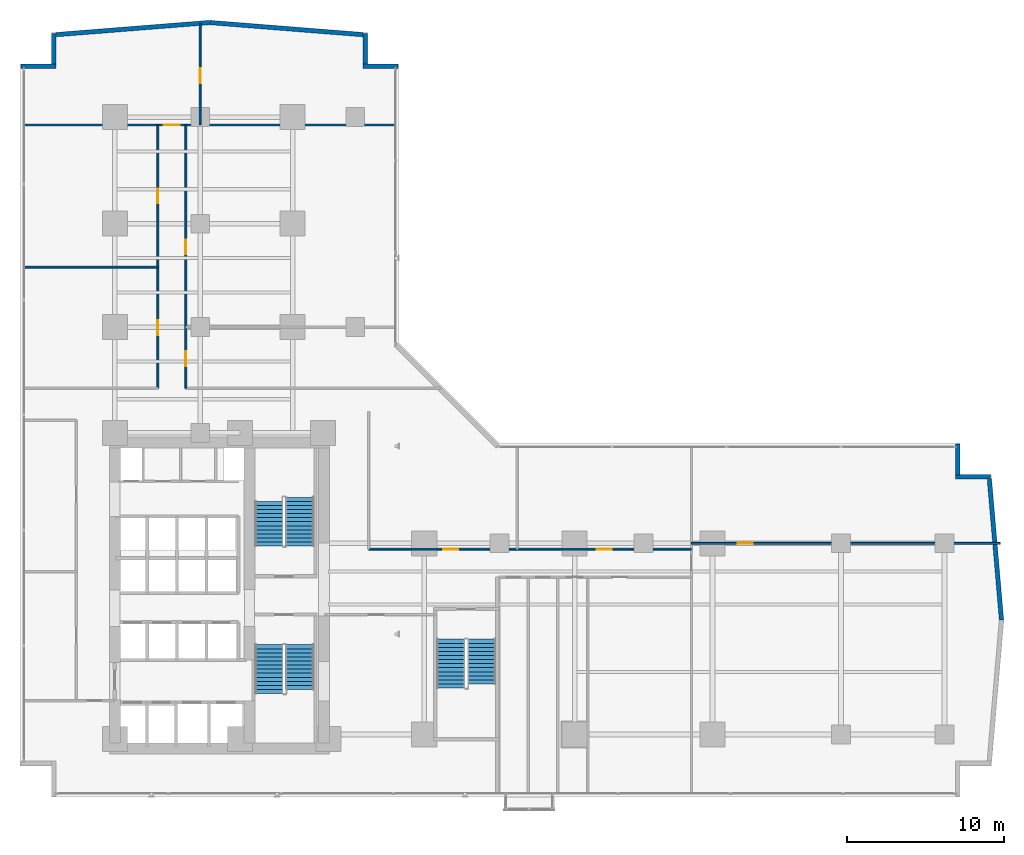
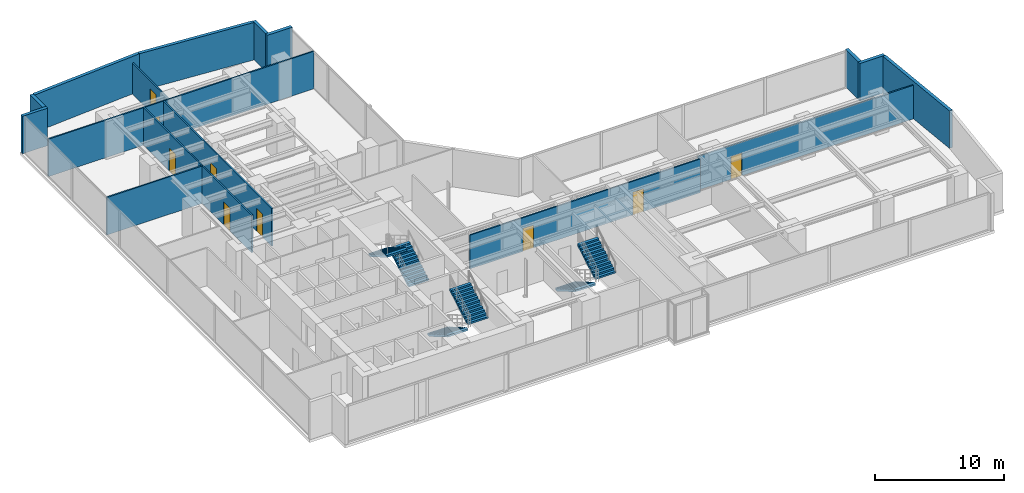
# One storey, part 25 of 29: 16 walls, 9 doors, 6 stair flights, 9 openings, 3 elements without a shape of their own.
"""IFC4 building model written with IfcOpenShell, lengths in metres."""

import ifcopenshell
import ifcopenshell.guid

model = None  # the IFC model being written
_history = None  # IfcOwnerHistory: only IFC2X3 demands one
_inside = {}  # id of a spatial element -> (the spatial element, [elements in it])
_under = {}  # id of a project, library or spatial element -> (it, [spatial elements below it])
_declared = {}  # id of a project -> (the project, [libraries it declares])
_typed = {}  # id of a type object -> (the type object, [elements of that type])
_made_of = {}  # id of a material, layer set ... -> (it, [elements and type objects made of it])


def new_model(schema):
    """Start an empty IFC model of exactly this schema.

    Asked for "IFC4X3", IfcOpenShell would pick the latest addendum, in which some entities
    have other attributes; the version numbers below select the first issue.
    IFC2X3 requires an IfcOwnerHistory on every rooted entity: one is made here for all.
    """
    global model, _history
    if schema == "IFC4X3":
        model = ifcopenshell.file(schema_version=(4, 3, 0, 0))
    else:
        model = ifcopenshell.file(schema=schema)
    _inside.clear()
    _under.clear()
    _declared.clear()
    _typed.clear()
    _made_of.clear()
    _history = None
    if model.schema == "IFC2X3":
        org = make("IfcOrganization", Name="unknown")
        user = make(
            "IfcPersonAndOrganization",
            ThePerson=make("IfcPerson", FamilyName="unknown"),
            TheOrganization=org,
        )
        app = make(
            "IfcApplication",
            ApplicationDeveloper=org,
            Version="unknown",
            ApplicationFullName="unknown",
            ApplicationIdentifier="unknown",
        )
        _history = make(
            "IfcOwnerHistory",
            OwningUser=user,
            OwningApplication=app,
            ChangeAction="ADDED",
            CreationDate=0,
        )
    return model


def make(cls, **values):
    """One entity of the class cls with the attributes given. An attribute that is None is left unset."""
    return model.create_entity(
        cls, **{name: value for name, value in values.items() if value is not None}
    )


def rooted(cls, **values):
    """An entity with a GlobalId (a new one), such as an element, a storey or a relation."""
    return make(cls, GlobalId=ifcopenshell.guid.new(), OwnerHistory=_history, **values)


def si_unit(unit_type, name, prefix=None):
    """IfcSIUnit, for example si_unit("LENGTHUNIT", "METRE", prefix="MILLI")."""
    return make("IfcSIUnit", UnitType=unit_type, Prefix=prefix, Name=name)


def assignment(units):
    """IfcUnitAssignment: the units of a project."""
    return None if units is None else make("IfcUnitAssignment", Units=units)


def point(xyz):
    """IfcCartesianPoint."""
    return None if xyz is None else make("IfcCartesianPoint", Coordinates=xyz)


def direction(xyz):
    """IfcDirection."""
    return None if xyz is None else make("IfcDirection", DirectionRatios=xyz)


def frame(location, z_axis=None, x_axis=None):
    """IfcAxis2Placement3D, a coordinate frame: its origin and axes. An axis left out is left unset."""
    return make(
        "IfcAxis2Placement3D",
        Location=point(location),
        Axis=direction(z_axis),
        RefDirection=direction(x_axis),
    )


def frame_2d(location, x_axis=None):
    """IfcAxis2Placement2D, a coordinate frame in the plane: its origin and x axis."""
    return make(
        "IfcAxis2Placement2D", Location=point(location), RefDirection=direction(x_axis)
    )


def origin():
    """The frame at (0, 0, 0) with its axes left unset."""
    return frame((0.0, 0.0, 0.0))


def place(relative_to, where):
    """IfcLocalPlacement: puts the frame where relative to a parent placement (None: the world)."""
    return make(
        "IfcLocalPlacement", PlacementRelTo=relative_to, RelativePlacement=where
    )


def context(
    kind, dimensions, precision=None, world=None, true_north=None, identifier=None
):
    """IfcGeometricRepresentationContext, for example the 3D "Model" context."""
    return make(
        "IfcGeometricRepresentationContext",
        ContextIdentifier=identifier,
        ContextType=kind,
        CoordinateSpaceDimension=dimensions,
        Precision=precision,
        WorldCoordinateSystem=world,
        TrueNorth=true_north,
    )


def subcontext(parent, identifier, kind, view, scale=None):
    """IfcGeometricRepresentationSubContext, for example "Body" below "Model"."""
    return make(
        "IfcGeometricRepresentationSubContext",
        ContextIdentifier=identifier,
        ContextType=kind,
        ParentContext=parent,
        TargetScale=scale,
        TargetView=view,
    )


def project(units=None, contexts=None):
    """IfcProject with its units and contexts."""
    return rooted(
        "IfcProject",
        Name="project",
        RepresentationContexts=contexts,
        UnitsInContext=assignment(units),
    )


def spatial(cls, under=None, at=None, **own):
    """A site, building, storey or space (cls), placed at a placement, below another one or the project."""
    s = rooted(cls, ObjectPlacement=at, **own)
    if under is not None:
        _under.setdefault(under.id(), (under, []))[1].append(s)
    return s


def polyline(points):
    """IfcPolyline through the points."""
    return make("IfcPolyline", Points=[point(p) for p in points])


def profile(cls, at=None, kind="AREA", **sizes):
    """A parametric profile (cls). Its sizes go by their IFC names, for example OverallWidth=200.0."""
    return make(cls, ProfileType=kind, Position=at, **sizes)


def rectangle(**sizes):
    """IfcRectangleProfileDef."""
    return profile("IfcRectangleProfileDef", **sizes)


def outline(outer, holes=None, kind="AREA"):
    """IfcArbitraryClosedProfileDef: a profile drawn as a closed curve; with holes, ...WithVoids."""
    if holes is None:
        return make("IfcArbitraryClosedProfileDef", ProfileType=kind, OuterCurve=outer)
    return make(
        "IfcArbitraryProfileDefWithVoids",
        ProfileType=kind,
        OuterCurve=outer,
        InnerCurves=holes,
    )


def extrude(swept, where, along, depth):
    """IfcExtrudedAreaSolid: the profile swept, set in the frame where, extruded along a direction by depth."""
    return make(
        "IfcExtrudedAreaSolid",
        SweptArea=swept,
        Position=where,
        ExtrudedDirection=direction(along),
        Depth=depth,
    )


def shape(context_of_items, identifier, shape_type, items):
    """IfcShapeRepresentation: the items that make up one representation, for example the "Body"."""
    return make(
        "IfcShapeRepresentation",
        ContextOfItems=context_of_items,
        RepresentationIdentifier=identifier,
        RepresentationType=shape_type,
        Items=items,
    )


def material(Name=None, Category=None):
    """IfcMaterial."""
    return make("IfcMaterial", Name=Name, Category=Category)


def layer(
    of_material, thickness, ventilated=None, Name=None, Category=None, Priority=None
):
    """IfcMaterialLayer: one layer of a wall or slab, of a material (None: an air gap)."""
    return make(
        "IfcMaterialLayer",
        Material=of_material,
        LayerThickness=thickness,
        IsVentilated=ventilated,
        Name=Name,
        Category=Category,
        Priority=Priority,
    )


def layer_set(layers, Name=None):
    """IfcMaterialLayerSet."""
    return make("IfcMaterialLayerSet", MaterialLayers=layers, LayerSetName=Name)


def made_of(thing, what):
    """Note that an element or type object is made of a material, layer set ...; save() writes the relation."""
    if what is not None:
        _made_of.setdefault(what.id(), (what, []))[1].append(thing)
    return thing


def type_object(cls, material=None, **own):
    """A type object (cls), such as IfcWallType, which elements share."""
    return made_of(rooted(cls, **own), material)


def element(
    cls,
    number,
    at=None,
    inside=None,
    cuts=None,
    type_object=None,
    material=None,
    context=None,
    identifier="Body",
    shape_type=None,
    held_by="IfcProductDefinitionShape",
    body=None,
    shapes=None,
    **own,
):
    """One element of the class cls, such as IfcWall. Its Tag is "e" and its number.

    at: its placement. inside: the storey or other place that contains it. cuts: it is an
    opening in that element (IfcRelVoidsElement). A single representation is given by context,
    identifier, shape_type and body (its items); several are given by shapes. held_by: the class
    of the entity that holds the representations. save() writes the other relations.
    """
    e = rooted(cls, Tag="e%d" % number, ObjectPlacement=at, **own)
    if body is not None:
        shapes = [shape(context, identifier, shape_type, body)]
    if shapes is not None:
        e.Representation = make(held_by, Representations=shapes)
    if inside is not None:
        _inside.setdefault(inside.id(), (inside, []))[1].append(e)
    if cuts is not None:
        rooted(
            "IfcRelVoidsElement", RelatingBuildingElement=cuts, RelatedOpeningElement=e
        )
    if type_object is not None:
        _typed.setdefault(type_object.id(), (type_object, []))[1].append(e)
    return made_of(e, material)


def fill(opening, filler):
    """IfcRelFillsElement: the door or window that sits in an opening."""
    return rooted(
        "IfcRelFillsElement",
        RelatingOpeningElement=opening,
        RelatedBuildingElement=filler,
    )


def aggregate(whole, parts):
    """IfcRelAggregates: a whole, such as a stair, and the parts it consists of."""
    return rooted("IfcRelAggregates", RelatingObject=whole, RelatedObjects=parts)


def save(model, path):
    """Write the relations noted so far, then the file.

    IfcRelAggregates (storeys below a building ...), IfcRelContainedInSpatialStructure (elements
    in a storey), IfcRelDefinesByType, IfcRelAssociatesMaterial and IfcRelDeclares: one each for
    every whole, place, type object, material and project.
    """
    for whole, parts in _under.values():
        aggregate(whole, parts)
    for where, things in _inside.values():
        rooted(
            "IfcRelContainedInSpatialStructure",
            RelatedElements=things,
            RelatingStructure=where,
        )
    for kind, things in _typed.values():
        rooted("IfcRelDefinesByType", RelatedObjects=things, RelatingType=kind)
    for what, things in _made_of.values():
        rooted("IfcRelAssociatesMaterial", RelatedObjects=things, RelatingMaterial=what)
    for by, libraries in _declared.values():
        rooted("IfcRelDeclares", RelatingContext=by, RelatedDefinitions=libraries)
    model.write(path)


model = new_model("IFC4")

# Units and contexts
model_context = context("Model", 3, precision=1e-05, world=origin(), true_north=direction((0.0, 1.0)))
body_context = subcontext(model_context, "Body", "Model", "MODEL_VIEW")
ifc_project = project(units=[si_unit("LENGTHUNIT", "METRE"), si_unit("AREAUNIT", "SQUARE_METRE"), si_unit("VOLUMEUNIT", "CUBIC_METRE"), si_unit("PLANEANGLEUNIT", "RADIAN"), si_unit("MASSUNIT", "GRAM", prefix="KILO")], contexts=[model_context])

# Site, building, storey
site_placement = place(None, origin())
site = spatial("IfcSite", under=ifc_project, at=site_placement, CompositionType="ELEMENT")
building_placement = place(site_placement, origin())
building = spatial("IfcBuilding", under=site, at=building_placement, Name="Kolvaren Waterfront Exchange", CompositionType="ELEMENT")
storey_placement = place(building_placement, frame((0.0, 0.0, 37.199951171875)))
storey = spatial("IfcBuildingStorey", under=building, at=storey_placement, Name="L09", CompositionType="ELEMENT", Elevation=37.199951171875)

# Walls
ifc_material_1 = material(Name="Precast concrete C40/50", Category="concrete")
ifc_layer_1 = layer(ifc_material_1, 0.280029296875, Name="Precast concrete C40/50")
ifc_layer_set_1 = layer_set([ifc_layer_1], Name="Precast concrete C40/50")
wall_type_1 = type_object("IfcWallType", Name="ARC-EXT-TERR-280", PredefinedType="SOLIDWALL", material=ifc_layer_set_1)
wall_1_placement = place(storey_placement, frame((61.239990234375, 21.764892578125, 0.0), z_axis=(0.0, 0.0, 1.0), x_axis=(0.0, 1.0, 0.0)))
element("IfcWall", 1, at=wall_1_placement, inside=storey, type_object=wall_type_1, Name="L09 notched corner spandrel pier ENE-A", PredefinedType="SOLIDWALL", context=body_context, shape_type="SweptSolid", body=[
    extrude(rectangle(XDim=1.97509765625, YDim=0.280029296875, at=frame_2d((0.987548828125, 0.0))), origin(), (0.0, 0.0, 1.0), 3.5400390625),
])
for number, where, z_axis, x_axis, name in (
    (2, (61.10009765625, 21.639892578125, 0.0), (0.0, 0.0, 1.0), (1.0, 0.0, 0.0), "L09 notched corner spandrel pier ENE-B"),
    (3, (23.300048828125, 47.840087890625, 0.0), (0.0, 0.0, 1.0), (1.0, 0.0, 0.0), "L09 notched corner spandrel pier NNE-A"),
):
    element("IfcWall", number, at=place(storey_placement, frame(where, z_axis=z_axis, x_axis=x_axis)), inside=storey, type_object=wall_type_1, Name=name, PredefinedType="SOLIDWALL", context=body_context, shape_type="SweptSolid", body=[
        extrude(rectangle(XDim=2.239990234375, YDim=0.280029296875, at=frame_2d((1.1201171875, 0.0))), origin(), (0.0, 0.0, 1.0), 3.5400390625),
    ])
wall_2_placement = place(storey_placement, frame((23.43994140625, 47.97998046875, 0.0), z_axis=(0.0, 0.0, 1.0), x_axis=(0.0, 1.0, 0.0)))
element("IfcWall", 4, at=wall_2_placement, inside=storey, type_object=wall_type_1, Name="L09 notched corner spandrel pier NNE-B", PredefinedType="SOLIDWALL", context=body_context, shape_type="SweptSolid", body=[
    extrude(rectangle(XDim=1.9599609375, YDim=0.280029296875, at=frame_2d((0.97998046875, 0.0))), origin(), (0.0, 0.0, 1.0), 3.5400390625),
])
wall_3_placement = place(storey_placement, frame((1.4599609375, 47.840087890625, 0.0), z_axis=(0.0, 0.0, 1.0), x_axis=(1.0, 0.0, 0.0)))
element("IfcWall", 5, at=wall_3_placement, inside=storey, type_object=wall_type_1, Name="L09 notched corner spandrel pier NW-A", PredefinedType="SOLIDWALL", context=body_context, shape_type="SweptSolid", body=[
    extrude(rectangle(XDim=2.239990234375, YDim=0.280029296875, at=frame_2d((1.1201171875, 0.0))), origin(), (0.0, 0.0, 1.0), 3.5400390625),
])
wall_4_placement = place(storey_placement, frame((3.56005859375, 47.97998046875, 0.0), z_axis=(0.0, 0.0, 1.0), x_axis=(0.0, 1.0, 0.0)))
element("IfcWall", 6, at=wall_4_placement, inside=storey, type_object=wall_type_1, Name="L09 notched corner spandrel pier NW-B", PredefinedType="SOLIDWALL", context=body_context, shape_type="SweptSolid", body=[
    extrude(rectangle(XDim=1.9599609375, YDim=0.280029296875, at=frame_2d((0.97998046875, 0.0))), origin(), (0.0, 0.0, 1.0), 3.5400390625),
])
wall_5_placement = place(storey_placement, frame((64.038818359375, 12.506103515625, 0.0), z_axis=(0.0, 0.0, 1.0), x_axis=(-0.085692274626, 0.996321651912, 0.0)))
element("IfcWall", 7, at=wall_5_placement, inside=storey, type_object=wall_type_1, Name="L09 east prow faceted facade wall 2", PredefinedType="SOLIDWALL", context=body_context, shape_type="SweptSolid", body=[
    extrude(rectangle(XDim=9.014404296875, YDim=0.280029296875, at=frame_2d((4.50732421875, 0.0))), origin(), (0.0, 0.0, 1.0), 3.5400390625),
])
for number, where, z_axis, x_axis, name in (
    (8, (23.288330078125, 49.8642578125, 0.0), (0.0, 0.0, 1.0), (-0.996878337682, 0.078953023125, 0.0), "L09 north prow faceted facade wall 1"),
    (9, (13.49267578125, 50.638916015625, 0.0), (0.0, 0.0, 1.0), (-0.996878337682, -0.078953023125, 0.0), "L09 north prow faceted facade wall 2"),
):
    element("IfcWall", number, at=place(storey_placement, frame(where, z_axis=z_axis, x_axis=x_axis)), inside=storey, type_object=wall_type_1, Name=name, PredefinedType="SOLIDWALL", context=body_context, shape_type="SweptSolid", body=[
        extrude(rectangle(XDim=9.8115234375, YDim=0.280029296875, at=frame_2d((4.90576171875, 0.0))), origin(), (0.0, 0.0, 1.0), 3.5400390625),
    ])

# Wall, opening, door
ifc_material_2 = material(Name="Acoustic gypsum steel stud", Category="steel")
ifc_layer_2 = layer(ifc_material_2, 0.125, Name="Acoustic gypsum steel stud")
ifc_layer_set_2 = layer_set([ifc_layer_2], Name="Acoustic gypsum steel stud")
wall_type_2 = type_object("IfcWallType", Name="ARC-PART-125", PredefinedType="PARTITIONING", material=ifc_layer_set_2)
wall_6_placement = place(storey_placement, frame((44.25, 17.39990234375, 0.0), z_axis=(0.0, 0.0, 1.0), x_axis=(1.0, 0.0, 0.0)))
wall_6 = element("IfcWall", 10, at=wall_6_placement, inside=storey, type_object=wall_type_2, Name="L09 interior wall PW-L09-ETIP-MID", PredefinedType="PARTITIONING", context=body_context, shape_type="SweptSolid", body=[
    extrude(rectangle(XDim=19.7099609375, YDim=0.125, at=frame_2d((9.85498046875, 0.0))), origin(), (0.0, 0.0, 1.0), 3.179931640625),
])
opening_1_placement = place(wall_6_placement, frame((2.949951171875, 0.0, 0.0)))
opening_1 = element("IfcOpeningElement", 11, at=opening_1_placement, cuts=wall_6, Name="Opening D02", PredefinedType="OPENING", context=body_context, shape_type="SweptSolid", body=[
    extrude(rectangle(XDim=0.949951171875, YDim=2.14990234375, at=frame_2d((0.47509765625, 1.074951171875))), frame((0.0, 0.072509765625, 0.0), z_axis=(0.0, -1.0, 0.0), x_axis=(1.0, 0.0, 0.0)), (0.0, 0.0, 1.0), 0.14501953125),
])
ifc_material_3 = material(Name="Oak veneer acoustic timber", Category="wood")
door_type_1 = type_object("IfcDoorType", Name="ARC-DR-950", OperationType="NOTDEFINED", PredefinedType="DOOR", material=ifc_material_3)
door_1_placement = place(opening_1_placement, origin())
door_1 = element("IfcDoor", 12, at=door_1_placement, inside=storey, type_object=door_type_1, Name="L09 door DR-L09-ETIP2-D (D02)", OperationType="SINGLE_SWING_RIGHT", OverallHeight=2.14990234375, OverallWidth=0.949951171875, PredefinedType="DOOR", context=body_context, shape_type="SweptSolid", body=[
    extrude(rectangle(XDim=0.949951171875, YDim=2.14990234375, at=frame_2d((0.47509765625, 1.074951171875))), frame((0.0, 0.02490234375, 0.0), z_axis=(0.0, -1.0, 0.0), x_axis=(1.0, 0.0, 0.0)), (0.0, 0.0, 1.0), 0.050048828125),
])
fill(opening_1, door_1)

# Wall, openings, doors
wall_7_placement = place(storey_placement, frame((23.64990234375, 17.030029296875, 0.0), z_axis=(0.0, 0.0, 1.0), x_axis=(1.0, 0.0, 0.0)))
wall_7 = element("IfcWall", 13, at=wall_7_placement, inside=storey, type_object=wall_type_2, Name="L09 interior wall PW-L09-EN-CORR", PredefinedType="PARTITIONING", context=body_context, shape_type="SweptSolid", body=[
    extrude(rectangle(XDim=20.60009765625, YDim=0.125, at=frame_2d((10.300048828125, 0.0))), origin(), (0.0, 0.0, 1.0), 3.179931640625),
])
opening_2_placement = place(wall_7_placement, frame((4.7568359375, 0.0, 0.0)))
opening_2 = element("IfcOpeningElement", 14, at=opening_2_placement, cuts=wall_7, Name="Opening D02", PredefinedType="OPENING", context=body_context, shape_type="SweptSolid", body=[
    extrude(rectangle(XDim=0.949951171875, YDim=2.14990234375, at=frame_2d((0.47509765625, 1.074951171875))), frame((0.0, 0.072509765625, 0.0), z_axis=(0.0, -1.0, 0.0), x_axis=(1.0, 0.0, 0.0)), (0.0, 0.0, 1.0), 0.14501953125),
])
opening_3_placement = place(wall_7_placement, frame((14.56494140625, 0.0, 0.0)))
opening_3 = element("IfcOpeningElement", 15, at=opening_3_placement, cuts=wall_7, Name="Opening D02", PredefinedType="OPENING", context=body_context, shape_type="SweptSolid", body=[
    extrude(rectangle(XDim=0.949951171875, YDim=2.14990234375, at=frame_2d((0.47509765625, 1.074951171875))), frame((0.0, 0.072509765625, 0.0), z_axis=(0.0, -1.0, 0.0), x_axis=(1.0, 0.0, 0.0)), (0.0, 0.0, 1.0), 0.14501953125),
])
door_2_placement = place(opening_2_placement, origin())
door_2 = element("IfcDoor", 16, at=door_2_placement, inside=storey, type_object=door_type_1, Name="L09 door DR-L09-EN-D-1 (D02)", OperationType="SINGLE_SWING_LEFT", OverallHeight=2.14990234375, OverallWidth=0.949951171875, PredefinedType="DOOR", context=body_context, shape_type="SweptSolid", body=[
    extrude(rectangle(XDim=0.949951171875, YDim=2.14990234375, at=frame_2d((0.47509765625, 1.074951171875))), frame((0.0, 0.02490234375, 0.0), z_axis=(0.0, -1.0, 0.0), x_axis=(1.0, 0.0, 0.0)), (0.0, 0.0, 1.0), 0.050048828125),
])
fill(opening_2, door_2)
door_3_placement = place(opening_3_placement, origin())
door_3 = element("IfcDoor", 17, at=door_3_placement, inside=storey, type_object=door_type_1, Name="L09 door DR-L09-EN-D-2 (D02)", OperationType="SINGLE_SWING_RIGHT", OverallHeight=2.14990234375, OverallWidth=0.949951171875, PredefinedType="DOOR", context=body_context, shape_type="SweptSolid", body=[
    extrude(rectangle(XDim=0.949951171875, YDim=2.14990234375, at=frame_2d((0.47509765625, 1.074951171875))), frame((0.0, 0.02490234375, 0.0), z_axis=(0.0, -1.0, 0.0), x_axis=(1.0, 0.0, 0.0)), (0.0, 0.0, 1.0), 0.050048828125),
])
fill(opening_3, door_3)

wall_8_placement = place(storey_placement, frame((10.199951171875, 27.300048828125, 0.0), z_axis=(0.0, 0.0, 1.0), x_axis=(0.0, 1.0, 0.0)))
wall_8 = element("IfcWall", 18, at=wall_8_placement, inside=storey, type_object=wall_type_2, Name="L09 interior wall PW-L09-NW-CORR", PredefinedType="PARTITIONING", context=body_context, shape_type="SweptSolid", body=[
    extrude(rectangle(XDim=16.800048828125, YDim=0.125, at=frame_2d((8.39990234375, 0.0))), origin(), (0.0, 0.0, 1.0), 3.5400390625),
])
opening_4_placement = place(wall_8_placement, frame((3.389892578125, 0.0, 0.0)))
opening_4 = element("IfcOpeningElement", 19, at=opening_4_placement, cuts=wall_8, Name="Opening D02", PredefinedType="OPENING", context=body_context, shape_type="SweptSolid", body=[
    extrude(rectangle(XDim=0.949951171875, YDim=2.14990234375, at=frame_2d((0.47509765625, 1.074951171875))), frame((0.0, 0.072509765625, 0.0), z_axis=(0.0, -1.0, 0.0), x_axis=(1.0, 0.0, 0.0)), (0.0, 0.0, 1.0), 0.14501953125),
])
opening_5_placement = place(wall_8_placement, frame((11.7900390625, 0.0, 0.0)))
opening_5 = element("IfcOpeningElement", 20, at=opening_5_placement, cuts=wall_8, Name="Opening D02", PredefinedType="OPENING", context=body_context, shape_type="SweptSolid", body=[
    extrude(rectangle(XDim=0.949951171875, YDim=2.14990234375, at=frame_2d((0.47509765625, 1.074951171875))), frame((0.0, 0.072509765625, 0.0), z_axis=(0.0, -1.0, 0.0), x_axis=(1.0, 0.0, 0.0)), (0.0, 0.0, 1.0), 0.14501953125),
])
door_4_placement = place(opening_4_placement, origin())
door_4 = element("IfcDoor", 21, at=door_4_placement, inside=storey, type_object=door_type_1, Name="L09 door DR-L09-NW-D-1 (D02)", OperationType="SINGLE_SWING_LEFT", OverallHeight=2.14990234375, OverallWidth=0.949951171875, PredefinedType="DOOR", context=body_context, shape_type="SweptSolid", body=[
    extrude(rectangle(XDim=0.949951171875, YDim=2.14990234375, at=frame_2d((0.47509765625, 1.074951171875))), frame((0.0, 0.02490234375, 0.0), z_axis=(0.0, -1.0, 0.0), x_axis=(1.0, 0.0, 0.0)), (0.0, 0.0, 1.0), 0.050048828125),
])
fill(opening_4, door_4)
door_5_placement = place(opening_5_placement, origin())
door_5 = element("IfcDoor", 22, at=door_5_placement, inside=storey, type_object=door_type_1, Name="L09 door DR-L09-NW-D-2 (D02)", OperationType="SINGLE_SWING_RIGHT", OverallHeight=2.14990234375, OverallWidth=0.949951171875, PredefinedType="DOOR", context=body_context, shape_type="SweptSolid", body=[
    extrude(rectangle(XDim=0.949951171875, YDim=2.14990234375, at=frame_2d((0.47509765625, 1.074951171875))), frame((0.0, 0.02490234375, 0.0), z_axis=(0.0, -1.0, 0.0), x_axis=(1.0, 0.0, 0.0)), (0.0, 0.0, 1.0), 0.050048828125),
])
fill(opening_5, door_5)

# Wall
wall_9_placement = place(storey_placement, frame((1.639892578125, 35.030029296875, 0.0), z_axis=(0.0, 0.0, 1.0), x_axis=(1.0, 0.0, 0.0)))
element("IfcWall", 23, at=wall_9_placement, inside=storey, type_object=wall_type_2, Name="L09 interior wall PW-L09-NW-DIV-1", PredefinedType="PARTITIONING", context=body_context, shape_type="SweptSolid", body=[
    extrude(rectangle(XDim=8.56005859375, YDim=0.125, at=frame_2d((4.280029296875, 0.0))), origin(), (0.0, 0.0, 1.0), 3.5400390625),
])

# Wall, opening, door
wall_10_placement = place(storey_placement, frame((1.639892578125, 44.10009765625, 0.0), z_axis=(0.0, 0.0, 1.0), x_axis=(1.0, 0.0, 0.0)))
wall_10 = element("IfcWall", 24, at=wall_10_placement, inside=storey, type_object=wall_type_2, Name="L09 interior wall PW-L09-NTIP-S", PredefinedType="PARTITIONING", context=body_context, shape_type="SweptSolid", body=[
    extrude(rectangle(XDim=23.72021484375, YDim=0.125, at=frame_2d((11.860107421875, 0.0))), origin(), (0.0, 0.0, 1.0), 3.5400390625),
])
opening_6_placement = place(wall_10_placement, frame((8.949951171875, 0.0, 0.0)))
opening_6 = element("IfcOpeningElement", 25, at=opening_6_placement, cuts=wall_10, Name="Opening D03", PredefinedType="OPENING", context=body_context, shape_type="SweptSolid", body=[
    extrude(rectangle(XDim=1.0, YDim=2.199951171875, at=frame_2d((0.5, 1.10009765625))), frame((0.0, 0.072509765625, 0.0), z_axis=(0.0, -1.0, 0.0), x_axis=(1.0, 0.0, 0.0)), (0.0, 0.0, 1.0), 0.14501953125),
])
ifc_material_4 = material(Name="Oak veneer accessible timber", Category="wood")
door_type_2 = type_object("IfcDoorType", Name="ARC-DR-1000", OperationType="NOTDEFINED", PredefinedType="DOOR", material=ifc_material_4)
door_6_placement = place(opening_6_placement, origin())
door_6 = element("IfcDoor", 26, at=door_6_placement, inside=storey, type_object=door_type_2, Name="L09 door DR-L09-NTIPW-D (D03)", OperationType="SINGLE_SWING_LEFT", OverallHeight=2.199951171875, OverallWidth=1.0, PredefinedType="DOOR", context=body_context, shape_type="SweptSolid", body=[
    extrude(rectangle(XDim=1.0, YDim=2.199951171875, at=frame_2d((0.5, 1.10009765625))), frame((0.0, 0.02490234375, 0.0), z_axis=(0.0, -1.0, 0.0), x_axis=(1.0, 0.0, 0.0)), (0.0, 0.0, 1.0), 0.050048828125),
])
fill(opening_6, door_6)

wall_11_placement = place(storey_placement, frame((12.89990234375, 44.10009765625, 0.0), z_axis=(0.0, 0.0, 1.0), x_axis=(0.0, 1.0, 0.0)))
wall_11 = element("IfcWall", 27, at=wall_11_placement, inside=storey, type_object=wall_type_2, Name="L09 interior wall PW-L09-NTIP-DIV", PredefinedType="PARTITIONING", context=body_context, shape_type="SweptSolid", body=[
    extrude(rectangle(XDim=6.4599609375, YDim=0.125, at=frame_2d((3.22998046875, 0.0))), origin(), (0.0, 0.0, 1.0), 2.93994140625),
])
opening_7_placement = place(wall_11_placement, frame((2.677490234375, 0.0, 0.0)))
opening_7 = element("IfcOpeningElement", 28, at=opening_7_placement, cuts=wall_11, Name="Opening D02", PredefinedType="OPENING", context=body_context, shape_type="SweptSolid", body=[
    extrude(rectangle(XDim=0.949951171875, YDim=2.14990234375, at=frame_2d((0.47509765625, 1.074951171875))), frame((0.0, 0.072509765625, 0.0), z_axis=(0.0, -1.0, 0.0), x_axis=(1.0, 0.0, 0.0)), (0.0, 0.0, 1.0), 0.14501953125),
])
door_7_placement = place(opening_7_placement, origin())
door_7 = element("IfcDoor", 29, at=door_7_placement, inside=storey, type_object=door_type_1, Name="L09 door DR-L09-NTIPE-D (D02)", OperationType="SINGLE_SWING_RIGHT", OverallHeight=2.14990234375, OverallWidth=0.949951171875, PredefinedType="DOOR", context=body_context, shape_type="SweptSolid", body=[
    extrude(rectangle(XDim=0.949951171875, YDim=2.14990234375, at=frame_2d((0.47509765625, 1.074951171875))), frame((0.0, 0.02490234375, 0.0), z_axis=(0.0, -1.0, 0.0), x_axis=(1.0, 0.0, 0.0)), (0.0, 0.0, 1.0), 0.050048828125),
])
fill(opening_7, door_7)

# Wall, openings, doors
wall_12_placement = place(storey_placement, frame((11.97998046875, 27.300048828125, 0.0), z_axis=(0.0, 0.0, 1.0), x_axis=(0.0, 1.0, 0.0)))
wall_12 = element("IfcWall", 30, at=wall_12_placement, inside=storey, type_object=wall_type_2, Name="L09 interior wall PW-L09-NE-CORR", PredefinedType="PARTITIONING", context=body_context, shape_type="SweptSolid", body=[
    extrude(rectangle(XDim=16.800048828125, YDim=0.125, at=frame_2d((8.39990234375, 0.0))), origin(), (0.0, 0.0, 1.0), 3.5400390625),
])
opening_8_placement = place(wall_12_placement, frame((1.4033203125, 0.0, 0.0)))
opening_8 = element("IfcOpeningElement", 31, at=opening_8_placement, cuts=wall_12, Name="Opening D02", PredefinedType="OPENING", context=body_context, shape_type="SweptSolid", body=[
    extrude(rectangle(XDim=0.949951171875, YDim=2.14990234375, at=frame_2d((0.47509765625, 1.074951171875))), frame((0.0, 0.072509765625, 0.0), z_axis=(0.0, -1.0, 0.0), x_axis=(1.0, 0.0, 0.0)), (0.0, 0.0, 1.0), 0.14501953125),
])
opening_9_placement = place(wall_12_placement, frame((8.5341796875, 0.0, 0.0)))
opening_9 = element("IfcOpeningElement", 32, at=opening_9_placement, cuts=wall_12, Name="Opening D02", PredefinedType="OPENING", context=body_context, shape_type="SweptSolid", body=[
    extrude(rectangle(XDim=0.949951171875, YDim=2.14990234375, at=frame_2d((0.47509765625, 1.074951171875))), frame((0.0, 0.072509765625, 0.0), z_axis=(0.0, -1.0, 0.0), x_axis=(1.0, 0.0, 0.0)), (0.0, 0.0, 1.0), 0.14501953125),
])
door_8_placement = place(opening_8_placement, origin())
door_8 = element("IfcDoor", 33, at=door_8_placement, inside=storey, type_object=door_type_1, Name="L09 door DR-L09-NE-D-1 (D02)", OperationType="SINGLE_SWING_LEFT", OverallHeight=2.14990234375, OverallWidth=0.949951171875, PredefinedType="DOOR", context=body_context, shape_type="SweptSolid", body=[
    extrude(rectangle(XDim=0.949951171875, YDim=2.14990234375, at=frame_2d((0.47509765625, 1.074951171875))), frame((0.0, 0.02490234375, 0.0), z_axis=(0.0, -1.0, 0.0), x_axis=(1.0, 0.0, 0.0)), (0.0, 0.0, 1.0), 0.050048828125),
])
fill(opening_8, door_8)
door_9_placement = place(opening_9_placement, origin())
door_9 = element("IfcDoor", 34, at=door_9_placement, inside=storey, type_object=door_type_1, Name="L09 door DR-L09-NE-D-2 (D02)", OperationType="SINGLE_SWING_RIGHT", OverallHeight=2.14990234375, OverallWidth=0.949951171875, PredefinedType="DOOR", context=body_context, shape_type="SweptSolid", body=[
    extrude(rectangle(XDim=0.949951171875, YDim=2.14990234375, at=frame_2d((0.47509765625, 1.074951171875))), frame((0.0, 0.02490234375, 0.0), z_axis=(0.0, -1.0, 0.0), x_axis=(1.0, 0.0, 0.0)), (0.0, 0.0, 1.0), 0.050048828125),
])
fill(opening_9, door_9)

# Stair, stair flights
ifc_material_5 = material(Name="Concrete C40/50", Category="concrete")
stair_type = type_object("IfcStairType", Name="ARC-STAIR-3800", PredefinedType="HALF_TURN_STAIR", material=ifc_material_5)
stair_1_placement = place(storey_placement, origin())
stair_1 = element("IfcStair", 35, at=stair_1_placement, inside=storey, type_object=stair_type, Name="L09 Smoke-proof exit stair ST1", PredefinedType="HALF_TURN_STAIR")
stair_flight_type = type_object("IfcStairFlightType", Name="ARC-FLIGHT-3800", PredefinedType="STRAIGHT", material=ifc_material_5)
stair_flight_1_placement = place(storey_placement, frame((17.300048828125, 10.929931640625, 0.0), z_axis=(0.0, 0.0, 1.0), x_axis=(0.0, -1.0, 0.0)))
stair_flight_1 = element("IfcStairFlight", 36, at=stair_flight_1_placement, type_object=stair_flight_type, Name="ST1 flight 1", NumberOfRisers=13, NumberOfTreads=12, PredefinedType="STRAIGHT", RiserHeight=0.152, TreadLength=0.26, context=body_context, shape_type="SweptSolid", body=[
    extrude(outline(polyline([(0.0, 0.0), (0.0, 0.152099609375), (0.260009765625, 0.152099609375), (0.260009765625, 0.303955078125), (0.52001953125, 0.303955078125), (0.52001953125, 0.4560546875), (0.780029296875, 0.4560546875), (0.780029296875, 0.60791015625), (1.0400390625, 0.60791015625), (1.0400390625, 0.760009765625), (1.300048828125, 0.760009765625), (1.300048828125, 0.912109375), (1.56005859375, 0.912109375), (1.56005859375, 1.06396484375), (1.820068359375, 1.06396484375), (1.820068359375, 1.216064453125), (2.080078125, 1.216064453125), (2.080078125, 1.367919921875), (2.340087890625, 1.367919921875), (2.340087890625, 1.52001953125), (2.60009765625, 1.52001953125), (2.60009765625, 1.672119140625), (2.860107421875, 1.672119140625), (2.860107421875, 1.823974609375), (3.1201171875, 1.823974609375), (3.1201171875, 1.97607421875), (3.1201171875, 1.650390625), (0.297119140625, 0.0), (0.0, 0.0)])), frame((0.0, 0.89990234375, 0.0), z_axis=(0.0, -1.0, 0.0), x_axis=(1.0, 0.0, 0.0)), (0.0, 0.0, 1.0), 1.800048828125),
])
stair_flight_2_placement = place(storey_placement, frame((19.260009765625, 8.070068359375, 1.97607421875), z_axis=(0.0, 0.0, 1.0), x_axis=(0.0, 1.0, 0.0)))
stair_flight_2 = element("IfcStairFlight", 37, at=stair_flight_2_placement, type_object=stair_flight_type, Name="ST1 flight 2", NumberOfRisers=12, NumberOfTreads=11, PredefinedType="STRAIGHT", RiserHeight=0.152, TreadLength=0.26, context=body_context, shape_type="SweptSolid", body=[
    extrude(outline(polyline([(0.0, 0.0), (0.0, 0.152099609375), (0.260009765625, 0.152099609375), (0.260009765625, 0.303955078125), (0.52001953125, 0.303955078125), (0.52001953125, 0.4560546875), (0.780029296875, 0.4560546875), (0.780029296875, 0.60791015625), (1.0400390625, 0.60791015625), (1.0400390625, 0.760009765625), (1.300048828125, 0.760009765625), (1.300048828125, 0.912109375), (1.56005859375, 0.912109375), (1.56005859375, 1.06396484375), (1.820068359375, 1.06396484375), (1.820068359375, 1.216064453125), (2.080078125, 1.216064453125), (2.080078125, 1.367919921875), (2.340087890625, 1.367919921875), (2.340087890625, 1.52001953125), (2.60009765625, 1.52001953125), (2.60009765625, 1.672119140625), (2.860107421875, 1.672119140625), (2.860107421875, 1.823974609375), (2.860107421875, 1.498291015625), (0.297119140625, 0.0), (0.0, 0.0)])), frame((0.0, 0.89990234375, 0.0), z_axis=(0.0, -1.0, 0.0), x_axis=(1.0, 0.0, 0.0)), (0.0, 0.0, 1.0), 1.800048828125),
])
aggregate(stair_1, [stair_flight_1, stair_flight_2])

stair_2_placement = place(storey_placement, origin())
stair_2 = element("IfcStair", 38, at=stair_2_placement, inside=storey, type_object=stair_type, Name="L09 Smoke-proof exit stair ST2", PredefinedType="HALF_TURN_STAIR")
stair_flight_3_placement = place(storey_placement, frame((19.260009765625, 17.219970703125, 0.0), z_axis=(0.0, 0.0, 1.0), x_axis=(0.0, 1.0, 0.0)))
stair_flight_3 = element("IfcStairFlight", 39, at=stair_flight_3_placement, type_object=stair_flight_type, Name="ST2 flight 1", NumberOfRisers=13, NumberOfTreads=12, PredefinedType="STRAIGHT", RiserHeight=0.152, TreadLength=0.26, context=body_context, shape_type="SweptSolid", body=[
    extrude(outline(polyline([(0.0, 0.0), (0.0, 0.152099609375), (0.260009765625, 0.152099609375), (0.260009765625, 0.303955078125), (0.52001953125, 0.303955078125), (0.52001953125, 0.4560546875), (0.780029296875, 0.4560546875), (0.780029296875, 0.60791015625), (1.0400390625, 0.60791015625), (1.0400390625, 0.760009765625), (1.300048828125, 0.760009765625), (1.300048828125, 0.912109375), (1.56005859375, 0.912109375), (1.56005859375, 1.06396484375), (1.820068359375, 1.06396484375), (1.820068359375, 1.216064453125), (2.080078125, 1.216064453125), (2.080078125, 1.367919921875), (2.340087890625, 1.367919921875), (2.340087890625, 1.52001953125), (2.60009765625, 1.52001953125), (2.60009765625, 1.672119140625), (2.860107421875, 1.672119140625), (2.860107421875, 1.823974609375), (3.1201171875, 1.823974609375), (3.1201171875, 1.97607421875), (3.1201171875, 1.650390625), (0.297119140625, 0.0), (0.0, 0.0)])), frame((0.0, 0.89990234375, 0.0), z_axis=(0.0, -1.0, 0.0), x_axis=(1.0, 0.0, 0.0)), (0.0, 0.0, 1.0), 1.800048828125),
])
stair_flight_4_placement = place(storey_placement, frame((17.300048828125, 20.080078125, 1.97607421875), z_axis=(0.0, 0.0, 1.0), x_axis=(0.0, -1.0, 0.0)))
stair_flight_4 = element("IfcStairFlight", 40, at=stair_flight_4_placement, type_object=stair_flight_type, Name="ST2 flight 2", NumberOfRisers=12, NumberOfTreads=11, PredefinedType="STRAIGHT", RiserHeight=0.152, TreadLength=0.26, context=body_context, shape_type="SweptSolid", body=[
    extrude(outline(polyline([(0.0, 0.0), (0.0, 0.152099609375), (0.260009765625, 0.152099609375), (0.260009765625, 0.303955078125), (0.52001953125, 0.303955078125), (0.52001953125, 0.4560546875), (0.780029296875, 0.4560546875), (0.780029296875, 0.60791015625), (1.0400390625, 0.60791015625), (1.0400390625, 0.760009765625), (1.300048828125, 0.760009765625), (1.300048828125, 0.912109375), (1.56005859375, 0.912109375), (1.56005859375, 1.06396484375), (1.820068359375, 1.06396484375), (1.820068359375, 1.216064453125), (2.080078125, 1.216064453125), (2.080078125, 1.367919921875), (2.340087890625, 1.367919921875), (2.340087890625, 1.52001953125), (2.60009765625, 1.52001953125), (2.60009765625, 1.672119140625), (2.860107421875, 1.672119140625), (2.860107421875, 1.823974609375), (2.860107421875, 1.498291015625), (0.297119140625, 0.0), (0.0, 0.0)])), frame((0.0, 0.89990234375, 0.0), z_axis=(0.0, -1.0, 0.0), x_axis=(1.0, 0.0, 0.0)), (0.0, 0.0, 1.0), 1.800048828125),
])
aggregate(stair_2, [stair_flight_3, stair_flight_4])

stair_3_placement = place(storey_placement, origin())
stair_3 = element("IfcStair", 41, at=stair_3_placement, inside=storey, type_object=stair_type, Name="L09 Exit stair ST3", PredefinedType="HALF_TURN_STAIR")
stair_flight_5_placement = place(storey_placement, frame((28.89990234375, 11.280029296875, 0.0), z_axis=(0.0, 0.0, 1.0), x_axis=(0.0, -1.0, 0.0)))
stair_flight_5 = element("IfcStairFlight", 42, at=stair_flight_5_placement, type_object=stair_flight_type, Name="ST3 flight 1", NumberOfRisers=13, NumberOfTreads=12, PredefinedType="STRAIGHT", RiserHeight=0.152, TreadLength=0.26, context=body_context, shape_type="SweptSolid", body=[
    extrude(outline(polyline([(0.0, 0.0), (0.0, 0.152099609375), (0.260009765625, 0.152099609375), (0.260009765625, 0.303955078125), (0.52001953125, 0.303955078125), (0.52001953125, 0.4560546875), (0.780029296875, 0.4560546875), (0.780029296875, 0.60791015625), (1.0400390625, 0.60791015625), (1.0400390625, 0.760009765625), (1.300048828125, 0.760009765625), (1.300048828125, 0.912109375), (1.56005859375, 0.912109375), (1.56005859375, 1.06396484375), (1.820068359375, 1.06396484375), (1.820068359375, 1.216064453125), (2.080078125, 1.216064453125), (2.080078125, 1.367919921875), (2.340087890625, 1.367919921875), (2.340087890625, 1.52001953125), (2.60009765625, 1.52001953125), (2.60009765625, 1.672119140625), (2.860107421875, 1.672119140625), (2.860107421875, 1.823974609375), (3.1201171875, 1.823974609375), (3.1201171875, 1.97607421875), (3.1201171875, 1.650390625), (0.297119140625, 0.0), (0.0, 0.0)])), frame((0.0, 0.89990234375, 0.0), z_axis=(0.0, -1.0, 0.0), x_axis=(1.0, 0.0, 0.0)), (0.0, 0.0, 1.0), 1.800048828125),
])
stair_flight_6_placement = place(storey_placement, frame((30.860107421875, 8.419921875, 1.97607421875), z_axis=(0.0, 0.0, 1.0), x_axis=(0.0, 1.0, 0.0)))
stair_flight_6 = element("IfcStairFlight", 43, at=stair_flight_6_placement, type_object=stair_flight_type, Name="ST3 flight 2", NumberOfRisers=12, NumberOfTreads=11, PredefinedType="STRAIGHT", RiserHeight=0.152, TreadLength=0.26, context=body_context, shape_type="SweptSolid", body=[
    extrude(outline(polyline([(0.0, 0.0), (0.0, 0.152099609375), (0.260009765625, 0.152099609375), (0.260009765625, 0.303955078125), (0.52001953125, 0.303955078125), (0.52001953125, 0.4560546875), (0.780029296875, 0.4560546875), (0.780029296875, 0.60791015625), (1.0400390625, 0.60791015625), (1.0400390625, 0.760009765625), (1.300048828125, 0.760009765625), (1.300048828125, 0.912109375), (1.56005859375, 0.912109375), (1.56005859375, 1.06396484375), (1.820068359375, 1.06396484375), (1.820068359375, 1.216064453125), (2.080078125, 1.216064453125), (2.080078125, 1.367919921875), (2.340087890625, 1.367919921875), (2.340087890625, 1.52001953125), (2.60009765625, 1.52001953125), (2.60009765625, 1.672119140625), (2.860107421875, 1.672119140625), (2.860107421875, 1.823974609375), (2.860107421875, 1.498291015625), (0.297119140625, 0.0), (0.0, 0.0)])), frame((0.0, 0.89990234375, 0.0), z_axis=(0.0, -1.0, 0.0), x_axis=(1.0, 0.0, 0.0)), (0.0, 0.0, 1.0), 1.800048828125),
])
aggregate(stair_3, [stair_flight_5, stair_flight_6])

save(model, "model.ifc")
